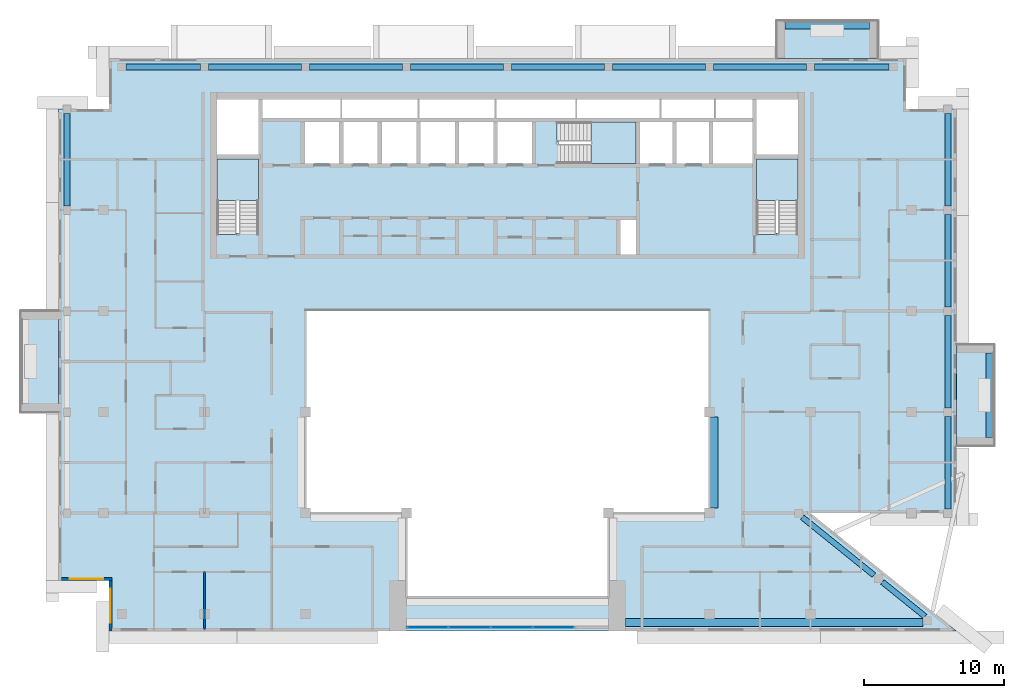
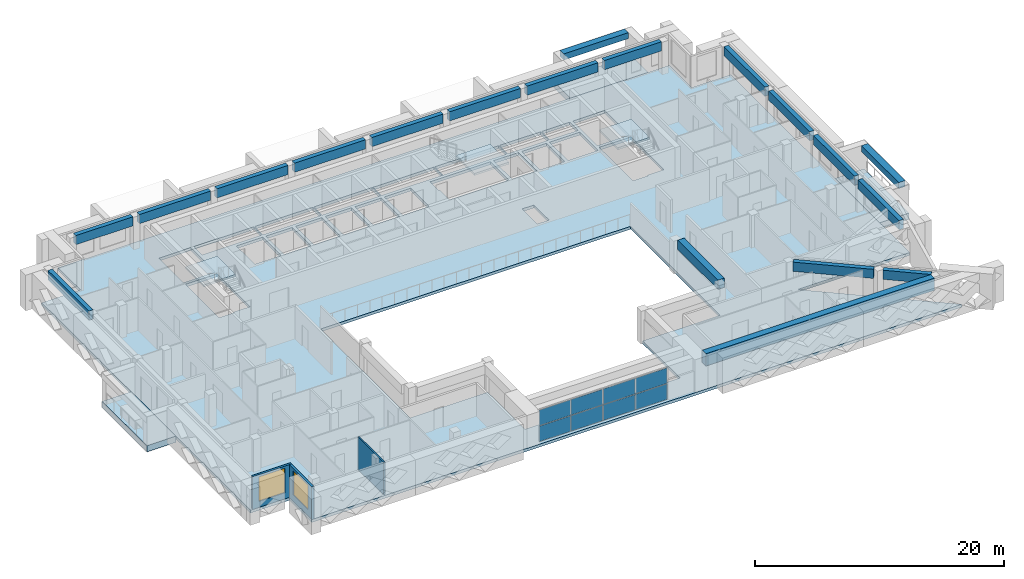
# One storey, part 5 of 18: 19 beams, 8 plates, 7 slabs, 3 walls, 2 windows, 2 openings, 4 elements without a shape of their own.
"""IFC4 building model written with IfcOpenShell, lengths in metres."""

from ifc_helpers import new_model, si_unit, direction, frame, frame_2d, origin, origin_2d, place, context, subcontext, project, spatial, polyline, rectangle, outline, extrude, source, transform, mapped, material, layer, layer_set, material_profile, profile_set, type_object, element, fill, aggregate, save


model = new_model("IFC4")

# Units and contexts
model_context = context("Model", 3, precision=1e-05, world=origin(), true_north=direction((0.0, 1.0)))
body_context = subcontext(model_context, "Body", "Model", "MODEL_VIEW")
ifc_project = project(units=[si_unit("LENGTHUNIT", "METRE"), si_unit("AREAUNIT", "SQUARE_METRE"), si_unit("VOLUMEUNIT", "CUBIC_METRE"), si_unit("PLANEANGLEUNIT", "RADIAN"), si_unit("MASSUNIT", "GRAM", prefix="KILO")], contexts=[model_context])

# Site, building, storey
site_placement = place(None, origin())
site = spatial("IfcSite", under=ifc_project, at=site_placement, CompositionType="ELEMENT")
building_placement = place(site_placement, origin())
building = spatial("IfcBuilding", under=site, at=building_placement, Name="Saffron Iwan Residences", CompositionType="ELEMENT")
storey_placement = place(building_placement, frame((0.0, 0.0, 260.5)))
storey = spatial("IfcBuildingStorey", under=building, at=storey_placement, Name="L70", CompositionType="ELEMENT", Elevation=260.5)

# Beams
ifc_material_1 = material(Name="Concrete C40/50", Category="concrete")
ifc_material_profile_1 = material_profile(ifc_material_1, rectangle(XDim=0.39990234375, YDim=0.89990234375, at=origin_2d()), Name="RC 400x900")
ifc_profile_set_1 = profile_set([ifc_material_profile_1], Name="Concrete C40/50")
beam_type_1 = type_object("IfcBeamType", Name="SPANDREL BEAM RC 400x900 C40/50 TOP 3220", PredefinedType="SPANDREL", material=ifc_profile_set_1)
shared_shape_1 = source(origin(), body_context, "Body", "SweptSolid", [
    extrude(rectangle(XDim=0.39990234375, YDim=0.89990234375, at=origin_2d()), origin(), (0.0, 0.0, 1.0), 3.91162109375),
])
beam_1_placement = place(storey_placement, frame((77.123046875, 43.0908203125, 2.77001953125), z_axis=(0.777943527056, -0.62833420145, 0.0), x_axis=(0.62833420145, 0.777943527056, 0.0)))
element("IfcBeam", 1, at=beam_1_placement, inside=storey, type_object=beam_type_1, Name="Spandrel beam", PredefinedType="SPANDREL", context=body_context, shape_type="MappedRepresentation", body=[
    mapped(shared_shape_1, transform((0.0, 0.0, 0.0))),
])
shared_shape_2 = source(origin(), body_context, "Body", "SweptSolid", [
    extrude(rectangle(XDim=0.39990234375, YDim=0.89990234375, at=origin_2d()), origin(), (0.0, 0.0, 1.0), 6.564208984375),
])
beam_2_placement = place(storey_placement, frame((71.41650390625, 47.699951171875, 2.77001953125), z_axis=(0.77793558619, -0.628344032946, 0.0), x_axis=(0.628344032946, 0.77793558619, 0.0)))
element("IfcBeam", 2, at=beam_2_placement, inside=storey, type_object=beam_type_1, Name="Spandrel beam", PredefinedType="SPANDREL", context=body_context, shape_type="MappedRepresentation", body=[
    mapped(shared_shape_2, transform((0.0, 0.0, 0.0))),
])
shared_shape_3 = source(origin(), body_context, "Body", "SweptSolid", [
    extrude(rectangle(XDim=0.39990234375, YDim=0.89990234375, at=origin_2d()), origin(), (0.0, 0.0, 1.0), 6.599853515625),
])
for number, where, z_axis, x_axis, name in (
    (3, (81.800048828125, 54.89990234375, 2.77001953125), (0.0, -1.0, 0.0), (1.0, 0.0, 0.0), "Spandrel beam"),
    (4, (29.10009765625, 79.800048828125, 2.77001953125), (1.0, 0.0, 0.0), (0.0, 1.0, 0.0), "Spandrel beam"),
    (5, (36.300048828125, 79.800048828125, 2.77001953125), (1.0, 0.0, 0.0), (0.0, 1.0, 0.0), "Spandrel beam"),
    (6, (65.10009765625, 79.800048828125, 2.77001953125), (1.0, 0.0, 0.0), (0.0, 1.0, 0.0), "Spandrel beam"),
):
    element("IfcBeam", number, at=place(storey_placement, frame(where, z_axis=z_axis, x_axis=x_axis)), inside=storey, type_object=beam_type_1, Name=name, PredefinedType="SPANDREL", context=body_context, shape_type="MappedRepresentation", body=[
        mapped(shared_shape_3, transform((0.0, 0.0, 0.0))),
    ])
shared_shape_4 = source(origin(), body_context, "Body", "SweptSolid", [
    extrude(rectangle(XDim=0.39990234375, YDim=0.89990234375, at=origin_2d()), origin(), (0.0, 0.0, 1.0), 6.60009765625),
])
for number, where, z_axis, x_axis, name in (
    (7, (81.800048828125, 62.10009765625, 2.77001953125), (0.0, -1.0, 0.0), (1.0, 0.0, 0.0), "Spandrel beam"),
    (8, (81.800048828125, 69.300048828125, 2.77001953125), (0.0, -1.0, 0.0), (1.0, 0.0, 0.0), "Spandrel beam"),
    (9, (19.0, 69.89990234375, 2.77001953125), (0.0, 1.0, 0.0), (-1.0, 0.0, 0.0), "Spandrel beam"),
    (10, (81.800048828125, 76.5, 2.77001953125), (0.0, -1.0, 0.0), (1.0, 0.0, 0.0), "Spandrel beam"),
    (11, (43.5, 79.800048828125, 2.77001953125), (1.0, 0.0, 0.0), (0.0, 1.0, 0.0), "Spandrel beam"),
    (12, (50.699951171875, 79.800048828125, 2.77001953125), (1.0, 0.0, 0.0), (0.0, 1.0, 0.0), "Spandrel beam"),
    (13, (57.89990234375, 79.800048828125, 2.77001953125), (1.0, 0.0, 0.0), (0.0, 1.0, 0.0), "Spandrel beam"),
):
    element("IfcBeam", number, at=place(storey_placement, frame(where, z_axis=z_axis, x_axis=x_axis)), inside=storey, type_object=beam_type_1, Name=name, PredefinedType="SPANDREL", context=body_context, shape_type="MappedRepresentation", body=[
        mapped(shared_shape_4, transform((0.0, 0.0, 0.0))),
    ])
shared_shape_5 = source(origin(), body_context, "Body", "SweptSolid", [
    extrude(rectangle(XDim=0.39990234375, YDim=0.89990234375, at=origin_2d()), origin(), (0.0, 0.0, 1.0), 5.300048828125),
])
for number, where, z_axis, x_axis, name in (
    (14, (23.199951171875, 79.800048828125, 2.77001953125), (1.0, 0.0, 0.0), (0.0, 1.0, 0.0), "Spandrel beam"),
    (15, (72.300048828125, 79.800048828125, 2.77001953125), (1.0, 0.0, 0.0), (0.0, 1.0, 0.0), "Spandrel beam"),
):
    element("IfcBeam", number, at=place(storey_placement, frame(where, z_axis=z_axis, x_axis=x_axis)), inside=storey, type_object=beam_type_1, Name=name, PredefinedType="SPANDREL", context=body_context, shape_type="MappedRepresentation", body=[
        mapped(shared_shape_5, transform((0.0, 0.0, 0.0))),
    ])
ifc_material_profile_2 = material_profile(ifc_material_1, rectangle(XDim=0.60009765625, YDim=1.199951171875, at=origin_2d()), Name="RC 600x1200")
ifc_profile_set_2 = profile_set([ifc_material_profile_2], Name="Concrete C40/50")
beam_type_2 = type_object("IfcBeamType", Name="LINTEL BEAM RC 600x1200 C40/50 TOP 3220", PredefinedType="LINTEL", material=ifc_profile_set_2)
shared_shape_6 = source(origin(), body_context, "Body", "SweptSolid", [
    extrude(rectangle(XDim=0.60009765625, YDim=1.199951171875, at=origin_2d()), origin(), (0.0, 0.0, 1.0), 21.2255859375),
])
beam_3_placement = place(storey_placement, frame((80.025634765625, 40.199951171875, 2.6201171875), z_axis=(-1.0, 0.0, 0.0), x_axis=(0.0, -1.0, 0.0)))
element("IfcBeam", 16, at=beam_3_placement, inside=storey, type_object=beam_type_2, Name="Lintel beam over the iwan", PredefinedType="LINTEL", context=body_context, shape_type="MappedRepresentation", body=[
    mapped(shared_shape_6, transform((0.0, 0.0, 0.0))),
])
ifc_material_profile_3 = material_profile(ifc_material_1, rectangle(XDim=0.60009765625, YDim=0.89990234375, at=origin_2d()), Name="RC 600x900")
ifc_profile_set_3 = profile_set([ifc_material_profile_3], Name="Concrete C40/50")
beam_type_3 = type_object("IfcBeamType", Name="BEAM RC 600x900 C40/50 TOP 3220", PredefinedType="BEAM", material=ifc_profile_set_3)
shared_shape_7 = source(origin(), body_context, "Body", "SweptSolid", [
    extrude(rectangle(XDim=0.60009765625, YDim=0.89990234375, at=origin_2d()), origin(), (0.0, 0.0, 1.0), 6.5),
])
beam_4_placement = place(storey_placement, frame((65.10009765625, 54.85009765625, 2.77001953125), z_axis=(0.0, -1.0, 0.0), x_axis=(1.0, 0.0, 0.0)))
element("IfcBeam", 17, at=beam_4_placement, inside=storey, type_object=beam_type_3, Name="Atrium edge beam", PredefinedType="BEAM", context=body_context, shape_type="MappedRepresentation", body=[
    mapped(shared_shape_7, transform((0.0, 0.0, 0.0))),
])
ifc_material_2 = material(Name="Concrete C50/60 white painted", Category="concrete")
ifc_material_profile_4 = material_profile(ifc_material_2, rectangle(XDim=0.60009765625, YDim=0.60009765625, at=origin_2d()), Name="BALCONY FASCIA BEAM 600 x 600")
ifc_profile_set_4 = profile_set([ifc_material_profile_4], Name="Concrete C50/60 white painted")
beam_type_4 = type_object("IfcBeamType", Name="BALCONY FASCIA BEAM 600 x 600", PredefinedType="BEAM", material=ifc_profile_set_4)
shared_shape_8 = source(origin(), body_context, "Body", "SweptSolid", [
    extrude(rectangle(XDim=0.60009765625, YDim=0.60009765625, at=origin_2d()), origin(), (0.0, 0.0, 1.0), 6.0),
])
for number, where, z_axis, x_axis, name in (
    (18, (84.800048828125, 53.39990234375, 2.550048828125), (0.0, 1.0, 0.0), (-1.0, 0.0, 0.0), "Balcony fascia beam L70 F2-0"),
    (19, (76.199951171875, 82.800048828125, 2.550048828125), (-1.0, 0.0, 0.0), (0.0, -1.0, 0.0), "Balcony fascia beam L70 F5-0"),
):
    element("IfcBeam", number, at=place(storey_placement, frame(where, z_axis=z_axis, x_axis=x_axis)), inside=storey, type_object=beam_type_4, Name=name, PredefinedType="BEAM", context=body_context, shape_type="MappedRepresentation", body=[
        mapped(shared_shape_8, transform((0.0, 0.0, 0.0))),
    ])

# Slabs
ifc_layer_1 = layer(ifc_material_2, 0.60009765625)
ifc_layer_set_1 = layer_set([ifc_layer_1], Name="Concrete C50/60 white painted")
slab_type_1 = type_object("IfcSlabType", Name="BALCONY FRAME SLAB 600", PredefinedType="FLOOR", material=ifc_layer_set_1)
slab_1_placement = place(storey_placement, frame((0.0, 0.0, -0.60009765625)))
element("IfcSlab", 20, at=slab_1_placement, inside=storey, type_object=slab_type_1, Name="Balcony frame slab L70 F2-0", PredefinedType="FLOOR", context=body_context, shape_type="SweptSolid", body=[
    extrude(outline(polyline([(85.10009765625, 52.800048828125), (85.10009765625, 60.0), (82.39990234375, 60.0), (82.39990234375, 52.800048828125), (85.10009765625, 52.800048828125)])), origin(), (0.0, 0.0, 1.0), 0.60009765625),
])
slab_2_placement = place(storey_placement, frame((0.0, 0.0, -0.60009765625)))
element("IfcSlab", 21, at=slab_2_placement, inside=storey, type_object=slab_type_1, Name="Balcony frame slab L70 F5-0", PredefinedType="FLOOR", context=body_context, shape_type="SweptSolid", body=[
    extrude(outline(polyline([(76.800048828125, 83.10009765625), (69.60009765625, 83.10009765625), (69.60009765625, 80.39990234375), (76.800048828125, 80.39990234375), (76.800048828125, 83.10009765625)])), origin(), (0.0, 0.0, 1.0), 0.60009765625),
])
slab_3_placement = place(storey_placement, frame((0.0, 0.0, -0.60009765625)))
element("IfcSlab", 22, at=slab_3_placement, inside=storey, type_object=slab_type_1, Name="Balcony frame slab L70 F8-0", PredefinedType="FLOOR", context=body_context, shape_type="SweptSolid", body=[
    extrude(outline(polyline([(15.699951171875, 62.39990234375), (15.699951171875, 55.199951171875), (18.39990234375, 55.199951171875), (18.39990234375, 62.39990234375), (15.699951171875, 62.39990234375)])), origin(), (0.0, 0.0, 1.0), 0.60009765625),
])
ifc_layer_2 = layer(ifc_material_1, 0.280029296875)
ifc_layer_set_2 = layer_set([ifc_layer_2], Name="Concrete C40/50")
slab_type_2 = type_object("IfcSlabType", Name="PT PLATE 280 C40/50", PredefinedType="FLOOR", material=ifc_layer_set_2)
slab_4_placement = place(storey_placement, frame((0.0, 0.0, -0.280029296875)))
element("IfcSlab", 23, at=slab_4_placement, inside=storey, type_object=slab_type_2, Name="Floor slab L70", PredefinedType="FLOOR", context=body_context, shape_type="SweptSolid", body=[
    extrude(outline(polyline([(18.39990234375, 43.199951171875), (18.39990234375, 76.800048828125), (22.0, 76.800048828125), (22.0, 80.39990234375), (78.800048828125, 80.39990234375), (78.800048828125, 76.800048828125), (82.39990234375, 76.800048828125), (82.39990234375, 48.0), (72.0, 48.0), (82.39990234375, 39.60009765625), (22.0, 39.60009765625), (22.0, 43.199951171875), (18.39990234375, 43.199951171875)]), holes=[polyline([(64.800048828125, 48.0), (64.800048828125, 62.39990234375), (36.0, 62.39990234375), (36.0, 48.0), (43.199951171875, 48.0), (43.199951171875, 42.0), (57.60009765625, 42.0), (57.60009765625, 48.0), (64.800048828125, 48.0)]), polyline([(29.699951171875, 73.25), (29.699951171875, 67.949951171875), (29.699951171875, 67.8505859375), (31.10009765625, 67.8505859375), (31.10009765625, 67.949951171875), (32.64990234375, 67.949951171875), (32.64990234375, 73.25), (29.699951171875, 73.25)]), polyline([(38.39990234375, 75.875), (35.949951171875, 75.875), (35.949951171875, 72.925048828125), (38.39990234375, 72.925048828125), (38.39990234375, 75.875)]), polyline([(41.14990234375, 75.875), (38.699951171875, 75.875), (38.699951171875, 72.925048828125), (41.14990234375, 72.925048828125), (41.14990234375, 75.875)]), polyline([(43.89990234375, 72.925048828125), (43.89990234375, 75.875), (41.449951171875, 75.875), (41.449951171875, 72.925048828125), (43.89990234375, 72.925048828125)]), polyline([(46.64990234375, 72.925048828125), (46.64990234375, 75.875), (44.199951171875, 75.875), (44.199951171875, 72.925048828125), (46.64990234375, 72.925048828125)]), polyline([(49.39990234375, 75.875), (46.949951171875, 75.875), (46.949951171875, 72.925048828125), (49.39990234375, 72.925048828125), (49.39990234375, 75.875)]), polyline([(52.14990234375, 72.925048828125), (52.14990234375, 75.875), (49.699951171875, 75.875), (49.699951171875, 72.925048828125), (52.14990234375, 72.925048828125)]), polyline([(32.64990234375, 73.550048828125), (32.64990234375, 77.5), (29.699951171875, 77.5), (29.699951171875, 73.550048828125), (32.64990234375, 73.550048828125)]), polyline([(38.5, 77.5), (32.949951171875, 77.5), (32.949951171875, 76.175048828125), (38.5, 76.175048828125), (38.5, 77.5)]), polyline([(44.0, 76.175048828125), (44.0, 77.5), (38.60009765625, 77.5), (38.60009765625, 76.175048828125), (44.0, 76.175048828125)]), polyline([(49.5, 76.175048828125), (49.5, 77.5), (44.10009765625, 77.5), (44.10009765625, 76.175048828125), (49.5, 76.175048828125)]), polyline([(59.550048828125, 68.875), (58.449951171875, 68.875), (58.449951171875, 66.449951171875), (59.550048828125, 66.449951171875), (59.550048828125, 68.875)]), polyline([(68.14990234375, 73.25), (68.14990234375, 67.949951171875), (68.14990234375, 67.8505859375), (69.550048828125, 67.8505859375), (69.550048828125, 67.949951171875), (71.10009765625, 67.949951171875), (71.10009765625, 73.25), (68.14990234375, 73.25)]), polyline([(54.02490234375, 74.47509765625), (54.02490234375, 72.925048828125), (59.550048828125, 72.925048828125), (59.550048828125, 75.875), (54.02490234375, 75.875), (53.925537109375, 75.875), (53.925537109375, 74.47509765625), (54.02490234375, 74.47509765625)]), polyline([(62.14990234375, 72.925048828125), (62.14990234375, 75.875), (59.85009765625, 75.875), (59.85009765625, 72.925048828125), (62.14990234375, 72.925048828125)]), polyline([(64.75, 72.925048828125), (64.75, 75.875), (62.449951171875, 75.875), (62.449951171875, 72.925048828125), (64.75, 72.925048828125)]), polyline([(67.85009765625, 75.875), (65.050048828125, 75.875), (65.050048828125, 72.925048828125), (67.85009765625, 72.925048828125), (67.85009765625, 75.875)]), polyline([(71.10009765625, 73.550048828125), (71.10009765625, 77.5), (68.14990234375, 77.5), (68.14990234375, 73.550048828125), (71.10009765625, 73.550048828125)]), polyline([(55.25, 76.175048828125), (55.25, 77.5), (49.60009765625, 77.5), (49.60009765625, 76.175048828125), (55.25, 76.175048828125)]), polyline([(61.25, 77.5), (55.35009765625, 77.5), (55.35009765625, 76.175048828125), (61.25, 76.175048828125), (61.25, 77.5)]), polyline([(65.14990234375, 76.175048828125), (65.14990234375, 77.5), (61.35009765625, 77.5), (61.35009765625, 76.175048828125), (65.14990234375, 76.175048828125)]), polyline([(67.85009765625, 76.175048828125), (67.85009765625, 77.5), (65.25, 77.5), (65.25, 76.175048828125), (67.85009765625, 76.175048828125)])]), origin(), (0.0, 0.0, 1.0), 0.280029296875),
])

# Stair, slab
ifc_material_3 = material(Name="Concrete C50/60", Category="concrete")
stair_type = type_object("IfcStairType", Name="Stair ST-CORE", PredefinedType="HALF_TURN_STAIR", material=ifc_material_3)
stair_1_placement = place(storey_placement, origin())
stair_1 = element("IfcStair", 24, at=stair_1_placement, inside=storey, type_object=stair_type, Name="L70 Exit Stair ST-W", PredefinedType="HALF_TURN_STAIR")
ifc_layer_3 = layer(ifc_material_3, 0.199951171875)
ifc_layer_set_3 = layer_set([ifc_layer_3], Name="Concrete C50/60")
slab_type_3 = type_object("IfcSlabType", Name="Stair landing SL-RC", PredefinedType="LANDING", material=ifc_layer_set_3)
slab_5_placement = place(storey_placement, frame((0.0, 0.0, 1.5498046875)))
slab_5 = element("IfcSlab", 25, at=slab_5_placement, type_object=slab_type_3, Name="ST-W landing 1", PredefinedType="LANDING", context=body_context, shape_type="SweptSolid", body=[
    extrude(outline(polyline([(32.64990234375, 70.280029296875), (32.64990234375, 73.25), (29.699951171875, 73.25), (29.699951171875, 70.280029296875), (32.64990234375, 70.280029296875)])), origin(), (0.0, 0.0, 1.0), 0.2001953125),
])
aggregate(stair_1, [slab_5])

stair_2_placement = place(storey_placement, origin())
stair_2 = element("IfcStair", 26, at=stair_2_placement, inside=storey, type_object=stair_type, Name="L70 Exit Stair ST-C", PredefinedType="HALF_TURN_STAIR")
slab_6_placement = place(storey_placement, frame((0.0, 0.0, 1.5498046875)))
slab_6 = element("IfcSlab", 27, at=slab_6_placement, type_object=slab_type_3, Name="ST-C landing 1", PredefinedType="LANDING", context=body_context, shape_type="SweptSolid", body=[
    extrude(outline(polyline([(56.35498046875, 72.925048828125), (59.550048828125, 72.925048828125), (59.550048828125, 75.875), (56.35498046875, 75.875), (56.35498046875, 72.925048828125)])), origin(), (0.0, 0.0, 1.0), 0.2001953125),
])
aggregate(stair_2, [slab_6])

stair_3_placement = place(storey_placement, origin())
stair_3 = element("IfcStair", 28, at=stair_3_placement, inside=storey, type_object=stair_type, Name="L70 Exit Stair ST-E", PredefinedType="HALF_TURN_STAIR")
slab_7_placement = place(storey_placement, frame((0.0, 0.0, 1.5498046875)))
slab_7 = element("IfcSlab", 29, at=slab_7_placement, type_object=slab_type_3, Name="ST-E landing 1", PredefinedType="LANDING", context=body_context, shape_type="SweptSolid", body=[
    extrude(outline(polyline([(71.10009765625, 70.280029296875), (71.10009765625, 73.25), (68.14990234375, 73.25), (68.14990234375, 70.280029296875), (71.10009765625, 70.280029296875)])), origin(), (0.0, 0.0, 1.0), 0.2001953125),
])
aggregate(stair_3, [slab_7])

# Curtain wall, plates
ifc_material_4 = material(Name="Clear glass, laminated double glazed", Category="glass")
ifc_layer_4 = layer(ifc_material_4, 0.199951171875)
ifc_layer_set_4 = layer_set([ifc_layer_4], Name="Clear glass, laminated double glazed")
curtain_wall_type = type_object("IfcCurtainWallType", Name="CW-B IWAN PORTAL", PredefinedType="NOTDEFINED", material=ifc_layer_set_4)
curtain_wall_placement = place(storey_placement, origin())
curtain_wall = element("IfcCurtainWall", 30, at=curtain_wall_placement, inside=storey, type_object=curtain_wall_type, Name="Iwan portal glazing L70.1", PredefinedType="NOTDEFINED")
ifc_layer_5 = layer(ifc_material_4, 0.028076171875)
ifc_layer_set_5 = layer_set([ifc_layer_5], Name="Clear glass, laminated double glazed")
plate_type = type_object("IfcPlateType", Name="CW-B PANEL 28", PredefinedType="CURTAIN_PANEL", material=ifc_layer_set_5)
shared_shape_9 = source(origin(), body_context, "Body", "SweptSolid", [
    extrude(rectangle(XDim=2.909912109375, YDim=0.028076171875, at=origin_2d()), origin(), (0.0, 0.0, 1.0), 1.52001953125),
])
plate_1_placement = place(storey_placement, frame((44.715087890625, 39.85009765625, 0.06005859375), z_axis=(0.0, 0.0, 1.0), x_axis=(1.0, 0.0, 0.0)))
plate_1 = element("IfcPlate", 31, at=plate_1_placement, type_object=plate_type, Name="CW-B panel 1.1", PredefinedType="CURTAIN_PANEL", context=body_context, shape_type="MappedRepresentation", body=[
    mapped(shared_shape_9, transform((0.0, 0.0, 0.0))),
])
plate_2_placement = place(storey_placement, frame((44.715087890625, 39.85009765625, 1.639892578125), z_axis=(0.0, 0.0, 1.0), x_axis=(1.0, 0.0, 0.0)))
plate_2 = element("IfcPlate", 32, at=plate_2_placement, type_object=plate_type, Name="CW-B panel 1.2", PredefinedType="CURTAIN_PANEL", context=body_context, shape_type="MappedRepresentation", body=[
    mapped(shared_shape_9, transform((0.0, 0.0, 0.0))),
])
plate_3_placement = place(storey_placement, frame((53.68505859375, 39.85009765625, 0.06005859375), z_axis=(0.0, 0.0, 1.0), x_axis=(1.0, 0.0, 0.0)))
plate_3 = element("IfcPlate", 33, at=plate_3_placement, type_object=plate_type, Name="CW-B panel 4.1", PredefinedType="CURTAIN_PANEL", context=body_context, shape_type="MappedRepresentation", body=[
    mapped(shared_shape_9, transform((0.0, 0.0, 0.0))),
])
plate_4_placement = place(storey_placement, frame((53.68505859375, 39.85009765625, 1.639892578125), z_axis=(0.0, 0.0, 1.0), x_axis=(1.0, 0.0, 0.0)))
plate_4 = element("IfcPlate", 34, at=plate_4_placement, type_object=plate_type, Name="CW-B panel 4.2", PredefinedType="CURTAIN_PANEL", context=body_context, shape_type="MappedRepresentation", body=[
    mapped(shared_shape_9, transform((0.0, 0.0, 0.0))),
])
shared_shape_10 = source(origin(), body_context, "Body", "SweptSolid", [
    extrude(rectangle(XDim=2.93994140625, YDim=0.028076171875, at=origin_2d()), origin(), (0.0, 0.0, 1.0), 1.52001953125),
])
plate_5_placement = place(storey_placement, frame((47.699951171875, 39.85009765625, 0.06005859375), z_axis=(0.0, 0.0, 1.0), x_axis=(1.0, 0.0, 0.0)))
plate_5 = element("IfcPlate", 35, at=plate_5_placement, type_object=plate_type, Name="CW-B panel 2.1", PredefinedType="CURTAIN_PANEL", context=body_context, shape_type="MappedRepresentation", body=[
    mapped(shared_shape_10, transform((0.0, 0.0, 0.0))),
])
plate_6_placement = place(storey_placement, frame((47.699951171875, 39.85009765625, 1.639892578125), z_axis=(0.0, 0.0, 1.0), x_axis=(1.0, 0.0, 0.0)))
plate_6 = element("IfcPlate", 36, at=plate_6_placement, type_object=plate_type, Name="CW-B panel 2.2", PredefinedType="CURTAIN_PANEL", context=body_context, shape_type="MappedRepresentation", body=[
    mapped(shared_shape_10, transform((0.0, 0.0, 0.0))),
])
plate_7_placement = place(storey_placement, frame((50.699951171875, 39.85009765625, 0.06005859375), z_axis=(0.0, 0.0, 1.0), x_axis=(1.0, 0.0, 0.0)))
plate_7 = element("IfcPlate", 37, at=plate_7_placement, type_object=plate_type, Name="CW-B panel 3.1", PredefinedType="CURTAIN_PANEL", context=body_context, shape_type="MappedRepresentation", body=[
    mapped(shared_shape_10, transform((0.0, 0.0, 0.0))),
])
plate_8_placement = place(storey_placement, frame((50.699951171875, 39.85009765625, 1.639892578125), z_axis=(0.0, 0.0, 1.0), x_axis=(1.0, 0.0, 0.0)))
plate_8 = element("IfcPlate", 38, at=plate_8_placement, type_object=plate_type, Name="CW-B panel 3.2", PredefinedType="CURTAIN_PANEL", context=body_context, shape_type="MappedRepresentation", body=[
    mapped(shared_shape_10, transform((0.0, 0.0, 0.0))),
])
aggregate(curtain_wall, [plate_1, plate_2, plate_5, plate_6, plate_7, plate_8, plate_3, plate_4])

# Wall, opening, window
ifc_layer_6 = layer(ifc_material_1, 0.199951171875)
ifc_layer_set_6 = layer_set([ifc_layer_6], Name="Concrete C40/50")
wall_type_1 = type_object("IfcWallType", Name="EXTERNAL WALL 200", PredefinedType="SOLIDWALL", material=ifc_layer_set_6)
wall_1_placement = place(storey_placement, frame((18.60009765625, 43.300048828125, 0.0), z_axis=(0.0, 0.0, 1.0), x_axis=(1.0, 0.0, 0.0)))
wall_1 = element("IfcWall", 39, at=wall_1_placement, inside=storey, type_object=wall_type_1, Name="External wall L70 F9.0", PredefinedType="SOLIDWALL", context=body_context, shape_type="SweptSolid", body=[
    extrude(rectangle(XDim=3.599853515625, YDim=0.199951171875, at=frame_2d((1.7998046875, 0.0))), origin(), (0.0, 0.0, 1.0), 3.219970703125),
])
opening_1_placement = place(wall_1_placement, frame((0.60009765625, 0.0, 0.60009765625)))
opening_1 = element("IfcOpeningElement", 40, at=opening_1_placement, cuts=wall_1, Name="Opening W1", PredefinedType="OPENING", context=body_context, shape_type="SweptSolid", body=[
    extrude(rectangle(XDim=2.39990234375, YDim=2.39990234375, at=frame_2d((1.199951171875, 1.199951171875))), frame((0.0, 0.10986328125, 0.0), z_axis=(0.0, -1.0, 0.0), x_axis=(1.0, 0.0, 0.0)), (0.0, 0.0, 1.0), 0.219970703125),
])
window_type = type_object("IfcWindowType", Name="WINDOW 2400 x 2400", PartitioningType="DOUBLE_PANEL_VERTICAL", PredefinedType="WINDOW", material=ifc_material_4)
window_1_placement = place(opening_1_placement, origin())
window_1 = element("IfcWindow", 41, at=window_1_placement, inside=storey, type_object=window_type, Name="Window L70 F9.0", OverallHeight=2.39990234375, OverallWidth=2.39990234375, PartitioningType="DOUBLE_PANEL_VERTICAL", PredefinedType="WINDOW", context=body_context, shape_type="SweptSolid", body=[
    extrude(rectangle(XDim=2.39990234375, YDim=2.39990234375, at=frame_2d((1.199951171875, 1.199951171875))), frame((0.0, 0.030029296875, 0.0), z_axis=(0.0, -1.0, 0.0), x_axis=(1.0, 0.0, 0.0)), (0.0, 0.0, 1.0), 0.06005859375),
])
fill(opening_1, window_1)

wall_2_placement = place(storey_placement, frame((22.10009765625, 43.199951171875, 0.0), z_axis=(0.0, 0.0, 1.0), x_axis=(0.0, -1.0, 0.0)))
wall_2 = element("IfcWall", 42, at=wall_2_placement, inside=storey, type_object=wall_type_1, Name="External wall L70 F10.0", PredefinedType="SOLIDWALL", context=body_context, shape_type="SweptSolid", body=[
    extrude(rectangle(XDim=3.599853515625, YDim=0.199951171875, at=frame_2d((1.7998046875, 0.0))), origin(), (0.0, 0.0, 1.0), 3.219970703125),
])
opening_2_placement = place(wall_2_placement, frame((0.60009765625, 0.0, 0.60009765625)))
opening_2 = element("IfcOpeningElement", 43, at=opening_2_placement, cuts=wall_2, Name="Opening W1", PredefinedType="OPENING", context=body_context, shape_type="SweptSolid", body=[
    extrude(rectangle(XDim=2.39990234375, YDim=2.39990234375, at=frame_2d((1.199951171875, 1.199951171875))), frame((0.0, 0.10986328125, 0.0), z_axis=(0.0, -1.0, 0.0), x_axis=(1.0, 0.0, 0.0)), (0.0, 0.0, 1.0), 0.219970703125),
])
window_2_placement = place(opening_2_placement, origin())
window_2 = element("IfcWindow", 44, at=window_2_placement, inside=storey, type_object=window_type, Name="Window L70 F10.0", OverallHeight=2.39990234375, OverallWidth=2.39990234375, PartitioningType="DOUBLE_PANEL_VERTICAL", PredefinedType="WINDOW", context=body_context, shape_type="SweptSolid", body=[
    extrude(rectangle(XDim=2.39990234375, YDim=2.39990234375, at=frame_2d((1.199951171875, 1.199951171875))), frame((0.0, 0.030029296875, 0.0), z_axis=(0.0, -1.0, 0.0), x_axis=(1.0, 0.0, 0.0)), (0.0, 0.0, 1.0), 0.06005859375),
])
fill(opening_2, window_2)

# Wall
ifc_material_5 = material(Name="Gypsum board partition")
ifc_layer_7 = layer(ifc_material_5, 0.1201171875)
ifc_layer_set_7 = layer_set([ifc_layer_7], Name="Gypsum board partition")
wall_type_2 = type_object("IfcWallType", Name="Flat partition 120", PredefinedType="PARTITIONING", material=ifc_layer_set_7)
wall_3_placement = place(storey_placement, frame((28.800048828125, 39.72509765625, 0.0), z_axis=(0.0, 0.0, 1.0), x_axis=(0.0, 1.0, 0.0)))
element("IfcWall", 45, at=wall_3_placement, inside=storey, type_object=wall_type_2, Name="W-L70-PART-v28.8-39.725", PredefinedType="PARTITIONING", context=body_context, shape_type="SweptSolid", body=[
    extrude(rectangle(XDim=4.074951171875, YDim=0.1201171875, at=frame_2d((2.03759765625, 0.0))), origin(), (0.0, 0.0, 1.0), 3.219970703125),
])

save(model, "model.ifc")
